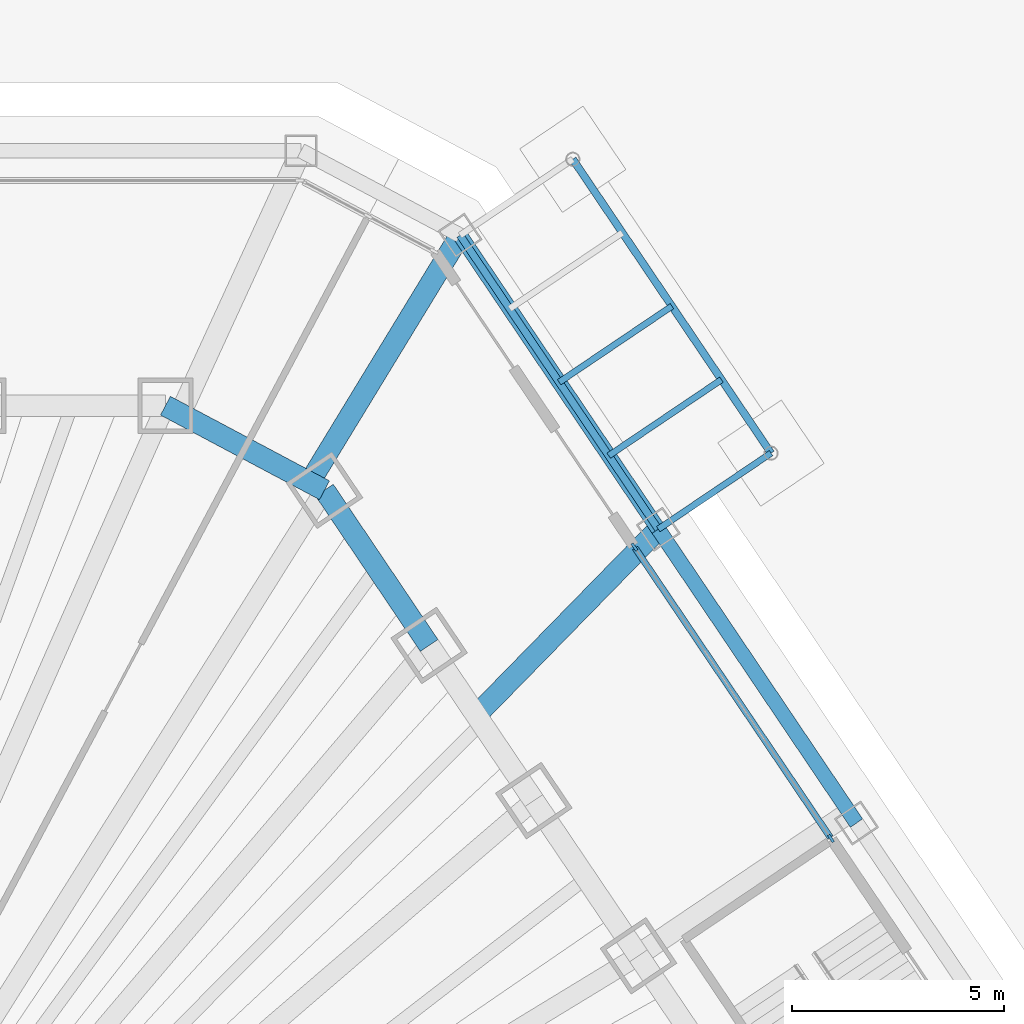
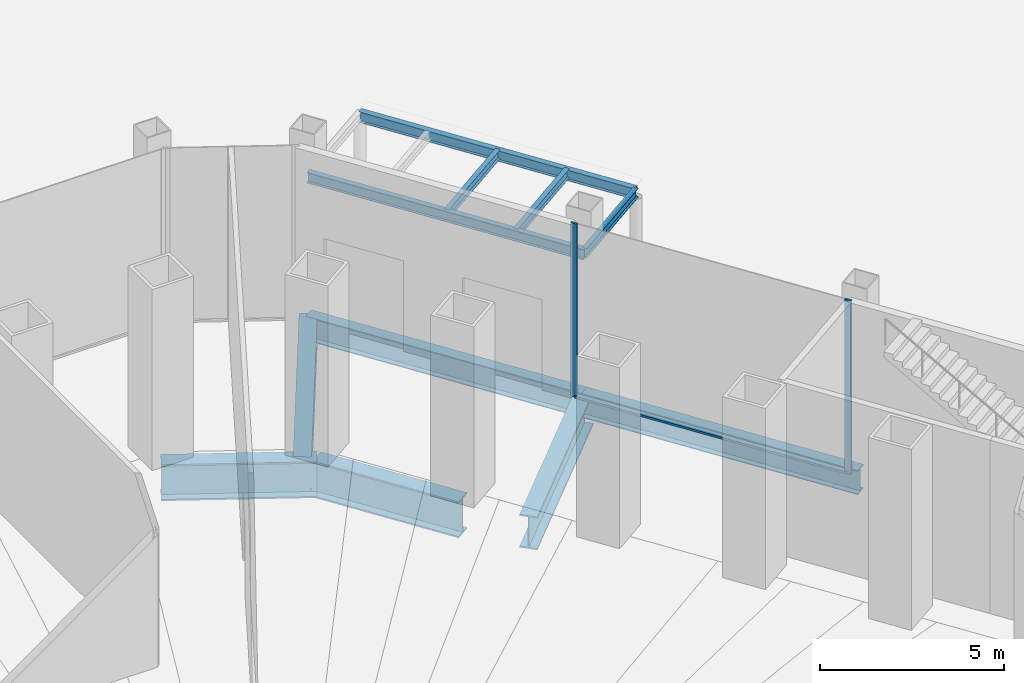
# One storey, part 20 of 45: 11 beams, 3 members, 1 element without a shape of its own.
"""IFC4 building model written with IfcOpenShell, lengths in metres."""

from ifc_helpers import new_model, si_unit, direction, frame, origin, origin_2d, place, context, subcontext, project, spatial, rectangle, i_section, extrude, material, material_profile, profile_set, type_object, element, aggregate, save


model = new_model("IFC4")

# Units and contexts
model_context = context("Model", 3, precision=1e-05, world=origin(), true_north=direction((0.0, 1.0)))
body_context = subcontext(model_context, "Body", "Model", "MODEL_VIEW")
ifc_project = project(units=[si_unit("LENGTHUNIT", "METRE"), si_unit("AREAUNIT", "SQUARE_METRE"), si_unit("VOLUMEUNIT", "CUBIC_METRE"), si_unit("PLANEANGLEUNIT", "RADIAN"), si_unit("MASSUNIT", "GRAM", prefix="KILO")], contexts=[model_context])

# Site, building, storey
site_placement = place(None, origin())
site = spatial("IfcSite", under=ifc_project, at=site_placement, CompositionType="ELEMENT")
building_placement = place(site_placement, origin())
building = spatial("IfcBuilding", under=site, at=building_placement, Name="Qingtian Harvest Tower", CompositionType="ELEMENT")
storey_placement = place(building_placement, origin())
storey = spatial("IfcBuildingStorey", under=building, at=storey_placement, Name="L00", CompositionType="ELEMENT", Elevation=0.0)

# Beams
ifc_material_1 = material(Name="Steel SN490B", Category="steel")
ifc_material_profile_1 = material_profile(ifc_material_1, i_section(OverallWidth=0.14990234375, OverallDepth=0.300048828125, WebThickness=0.006591796875, FlangeThickness=0.009033203125, at=origin_2d()), Name="H300x150x6.5x9")
ifc_profile_set_1 = profile_set([ifc_material_profile_1], Name="Steel SN490B")
beam_type_1 = type_object("IfcBeamType", Name="Canopy beam CB1 H300x150x6.5x9", PredefinedType="BEAM", material=ifc_profile_set_1)
for number, where, z_axis, x_axis, name in (
    (1, (23.55322265625, 24.0947265625, 4.31005859375), (0.829044984211, 0.559181915082, 0.0), (-0.559181915082, 0.829044984211, 0.0), "Canopy beam CB1 CN2 1"),
    (2, (21.220703125, 27.552490234375, 4.31005859375), (0.829068838882, 0.55914654644, 0.0), (-0.55914654644, 0.829068838882, 0.0), "Canopy rafter CB1 CN2 0.2"),
    (3, (22.386962890625, 25.823486328125, 4.31005859375), (0.829009613691, 0.559234351956, 0.0), (-0.559234351956, 0.829009613691, 0.0), "Canopy rafter CB1 CN2 0.3"),
):
    element("IfcBeam", number, at=place(storey_placement, frame(where, z_axis=z_axis, x_axis=x_axis)), inside=storey, type_object=beam_type_1, Name=name, PredefinedType="BEAM", context=body_context, shape_type="SweptSolid", body=[
        extrude(i_section(OverallWidth=0.14990234375, OverallDepth=0.300048828125, WebThickness=0.006591796875, FlangeThickness=0.009033203125, at=origin_2d()), origin(), (0.0, 0.0, 1.0), 3.199951171875),
    ])
ifc_material_2 = material(Name="Steel SN490B", Category="steel")
ifc_material_profile_2 = material_profile(ifc_material_2, i_section(OverallWidth=0.175048828125, OverallDepth=0.35009765625, WebThickness=0.007080078125, FlangeThickness=0.010986328125, at=origin_2d()), Name="H350x175x7x11")
ifc_profile_set_2 = profile_set([ifc_material_profile_2], Name="Steel SN490B")
beam_type_2 = type_object("IfcBeamType", Name="Canopy edge beam CB2 H350x175x7x11", PredefinedType="BEAM", material=ifc_profile_set_2)
for number, where, z_axis, x_axis, name in (
    (4, (18.888427734375, 31.01025390625, 4.284912109375), (0.559210439086, -0.829025744363, 0.0), (0.829025744363, 0.559210439086, 0.0), "Canopy back beam CB1 CN2 0"),
    (5, (21.54150390625, 32.7998046875, 4.284912109375), (0.559176755628, -0.829048464183, 0.0), (0.829048464183, 0.559176755628, 0.0), "Canopy front beam CB1 CN2 0"),
):
    element("IfcBeam", number, at=place(storey_placement, frame(where, z_axis=z_axis, x_axis=x_axis)), inside=storey, type_object=beam_type_2, Name=name, PredefinedType="BEAM", context=body_context, shape_type="SweptSolid", body=[
        extrude(i_section(OverallWidth=0.175048828125, OverallDepth=0.35009765625, WebThickness=0.007080078125, FlangeThickness=0.010986328125, at=origin_2d()), origin(), (0.0, 0.0, 1.0), 8.341796875),
    ])
ifc_material_3 = material(Name="Steel SM570MC", Category="steel")
ifc_material_profile_3 = material_profile(ifc_material_3, i_section(OverallWidth=0.5, OverallDepth=1.10009765625, WebThickness=0.02490234375, FlangeThickness=0.050048828125, at=origin_2d()), Name="H1100x500x25x50")
ifc_profile_set_3 = profile_set([ifc_material_profile_3], Name="Steel SM570MC")
beam_type_3 = type_object("IfcBeamType", Name="Floor beam FB6 H1100x500x25x50", PredefinedType="BEAM", material=ifc_profile_set_3)
beam_1_placement = place(storey_placement, frame((18.888427734375, 31.01025390625, -0.800048828125), z_axis=(-0.52020179562, -0.854043378192, 0.0), x_axis=(0.854043378192, -0.52020179562, 0.0)))
element("IfcBeam", 6, at=beam_1_placement, inside=storey, type_object=beam_type_3, Name="Podium floor beam FB6 NE0", PredefinedType="BEAM", context=body_context, shape_type="SweptSolid", body=[
    extrude(i_section(OverallWidth=0.5, OverallDepth=1.10009765625, WebThickness=0.02490234375, FlangeThickness=0.050048828125, at=origin_2d()), origin(), (0.0, 0.0, 1.0), 6.806884765625),
])
beam_2_placement = place(storey_placement, frame((23.55322265625, 24.0947265625, -0.800048828125), z_axis=(-0.699031153274, -0.715091215686, 0.0), x_axis=(0.715091215686, -0.699031153274, 0.0)))
element("IfcBeam", 7, at=beam_2_placement, inside=storey, type_object=beam_type_3, Name="Podium floor beam FB6 NE1", PredefinedType="BEAM", context=body_context, shape_type="SweptSolid", body=[
    extrude(i_section(OverallWidth=0.5, OverallDepth=1.10009765625, WebThickness=0.02490234375, FlangeThickness=0.050048828125, at=origin_2d()), origin(), (0.0, 0.0, 1.0), 6.126220703125),
])

# Curtain wall, members
ifc_material_4 = material(Name="Bronze-anodised aluminium curtain wall", Category="aluminium")
curtain_wall_type = type_object("IfcCurtainWallType", Name="Curtain wall CW1 podium shopfront", PredefinedType="USERDEFINED", material=ifc_material_4)
curtain_wall_placement = place(storey_placement, origin())
curtain_wall = element("IfcCurtainWall", 8, at=curtain_wall_placement, inside=storey, type_object=curtain_wall_type, Name="Curtain wall CW1 L00 NE1", ObjectType="RECESSED CURTAIN WALL", PredefinedType="USERDEFINED")
ifc_material_5 = material(Name="Bronze-anodised aluminium mullion", Category="aluminium")
ifc_material_profile_4 = material_profile(ifc_material_5, rectangle(XDim=0.06494140625, YDim=0.199951171875, at=origin_2d()), Name="AL 65x200")
ifc_profile_set_4 = profile_set([ifc_material_profile_4], Name="Bronze-anodised aluminium mullion")
member_type_1 = type_object("IfcMemberType", Name="Mullion CWM 65x200", PredefinedType="MULLION", material=ifc_profile_set_4)
member_1_placement = place(storey_placement, frame((22.990966796875, 23.67626953125, 0.0), z_axis=(0.0, 0.0, 1.0), x_axis=(0.829037572555, 0.559192903471, 0.0)))
member_1 = element("IfcMember", 9, at=member_1_placement, type_object=member_type_1, Name="CW1 mullion 1", PredefinedType="MULLION", context=body_context, shape_type="SweptSolid", body=[
    extrude(rectangle(XDim=0.06494140625, YDim=0.199951171875, at=origin_2d()), origin(), (0.0, 0.0, 1.0), 5.75),
])
member_2_placement = place(storey_placement, frame((27.619384765625, 16.814453125, 0.0), z_axis=(0.0, 0.0, 1.0), x_axis=(0.829037572555, 0.559192903471, 0.0)))
member_2 = element("IfcMember", 10, at=member_2_placement, type_object=member_type_1, Name="CW1 mullion 2", PredefinedType="MULLION", context=body_context, shape_type="SweptSolid", body=[
    extrude(rectangle(XDim=0.06494140625, YDim=0.199951171875, at=origin_2d()), origin(), (0.0, 0.0, 1.0), 5.75),
])

# Beams
ifc_material_6 = material(Name="Steel SN490B", Category="steel")
ifc_material_profile_5 = material_profile(ifc_material_6, i_section(OverallWidth=0.35009765625, OverallDepth=0.800048828125, WebThickness=0.01611328125, FlangeThickness=0.028076171875, at=origin_2d()), Name="H800x350x16x28")
ifc_profile_set_5 = profile_set([ifc_material_profile_5], Name="Steel SN490B")
beam_type_4 = type_object("IfcBeamType", Name="Podium beam PB1 H800x350x16x28", PredefinedType="BEAM", material=ifc_profile_set_5)
for number, where, z_axis, x_axis, name in (
    (11, (18.888427734375, 31.01025390625, -0.64990234375), (0.559210439086, -0.829025744363, 0.0), (0.829025744363, 0.559210439086, 0.0), "Podium edge beam PB1 NE0"),
    (12, (23.55322265625, 24.0947265625, -0.64990234375), (0.559176755628, -0.829048464183, 0.0), (0.829048464183, 0.559176755628, 0.0), "Podium edge beam PB1 NE1"),
):
    element("IfcBeam", number, at=place(storey_placement, frame(where, z_axis=z_axis, x_axis=x_axis)), inside=storey, type_object=beam_type_4, Name=name, PredefinedType="BEAM", context=body_context, shape_type="SweptSolid", body=[
        extrude(i_section(OverallWidth=0.35009765625, OverallDepth=0.800048828125, WebThickness=0.01611328125, FlangeThickness=0.028076171875, at=origin_2d()), origin(), (0.0, 0.0, 1.0), 8.341796875),
    ])
ifc_material_7 = material(Name="Steel SM570MC", Category="steel")
ifc_material_profile_6 = material_profile(ifc_material_7, i_section(OverallWidth=0.5, OverallDepth=1.199951171875, WebThickness=0.02490234375, FlangeThickness=0.050048828125, at=origin_2d()), Name="H1200x500x25x50")
ifc_profile_set_6 = profile_set([ifc_material_profile_6], Name="Steel SM570MC")
beam_type_5 = type_object("IfcBeamType", Name="Spandrel beam SB1 H1200x500x25x50", PredefinedType="SPANDREL", material=ifc_profile_set_6)
beam_3_placement = place(storey_placement, frame((11.9560546875, 27.0, -0.85009765625), z_axis=(0.882948599748, -0.469469669099, 0.0), x_axis=(0.469469669099, 0.882948599748, 0.0)))
element("IfcBeam", 13, at=beam_3_placement, inside=storey, type_object=beam_type_5, Name="Spandrel SB1 NC", PredefinedType="SPANDREL", context=body_context, shape_type="SweptSolid", body=[
    extrude(i_section(OverallWidth=0.5, OverallDepth=1.199951171875, WebThickness=0.02490234375, FlangeThickness=0.050048828125, at=origin_2d()), origin(), (0.0, 0.0, 1.0), 4.23828125),
])
beam_4_placement = place(storey_placement, frame((15.6982421875, 25.01025390625, -0.85009765625), z_axis=(0.559169135272, -0.829053603912, 0.0), x_axis=(0.829053603912, 0.559169135272, 0.0)))
element("IfcBeam", 14, at=beam_4_placement, inside=storey, type_object=beam_type_5, Name="Spandrel SB1 NE0", PredefinedType="SPANDREL", context=body_context, shape_type="SweptSolid", body=[
    extrude(i_section(OverallWidth=0.5, OverallDepth=1.199951171875, WebThickness=0.02490234375, FlangeThickness=0.050048828125, at=origin_2d()), origin(), (0.0, 0.0, 1.0), 4.404541015625),
])

# Member
ifc_material_8 = material(Name="Bronze-anodised aluminium transom", Category="aluminium")
ifc_material_profile_7 = material_profile(ifc_material_8, rectangle(XDim=0.14990234375, YDim=0.06494140625, at=origin_2d()), Name="AL 65x150")
ifc_profile_set_7 = profile_set([ifc_material_profile_7], Name="Bronze-anodised aluminium transom")
member_type_2 = type_object("IfcMemberType", Name="Transom CWT 65x150", PredefinedType="USERDEFINED", material=ifc_profile_set_7)
member_3_placement = place(storey_placement, frame((23.00927734375, 23.6494140625, 0.032470703125), z_axis=(0.559179212666, -0.829046806955, 0.0), x_axis=(0.829046806955, 0.559179212666, 0.0)))
member_3 = element("IfcMember", 15, at=member_3_placement, type_object=member_type_2, Name="CW1 transom 1.1", ObjectType="TRANSOM", PredefinedType="USERDEFINED", context=body_context, shape_type="SweptSolid", body=[
    extrude(rectangle(XDim=0.14990234375, YDim=0.06494140625, at=origin_2d()), origin(), (0.0, 0.0, 1.0), 8.211669921875),
])

aggregate(curtain_wall, [member_1, member_2, member_3])

save(model, "model.ifc")
